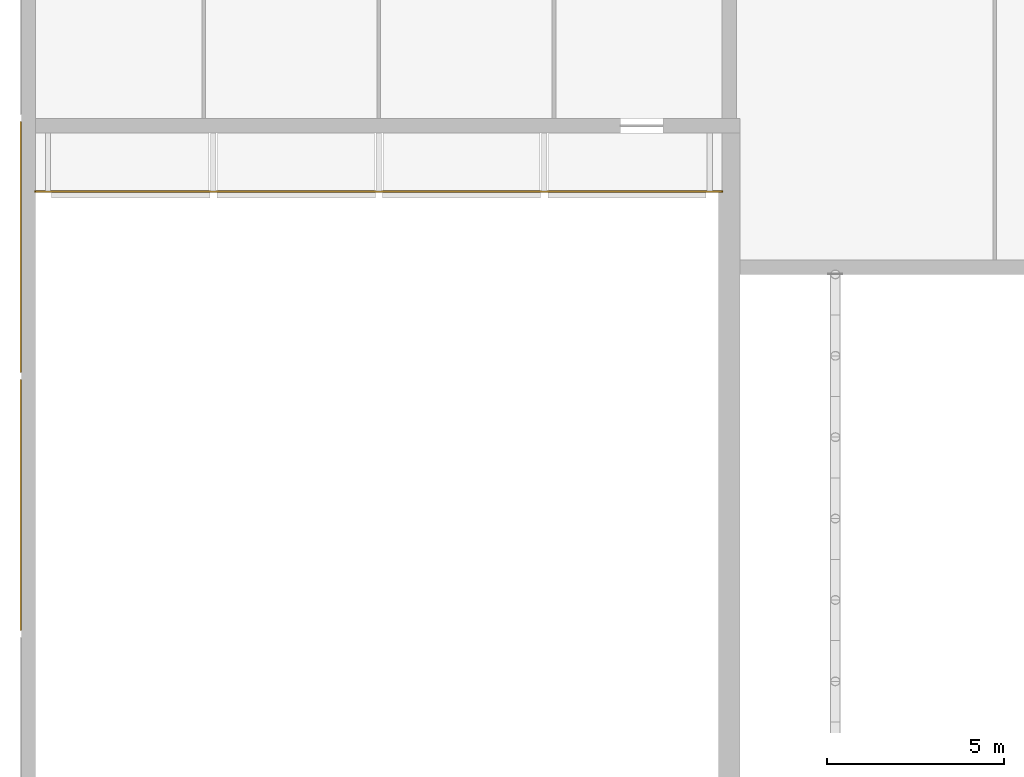
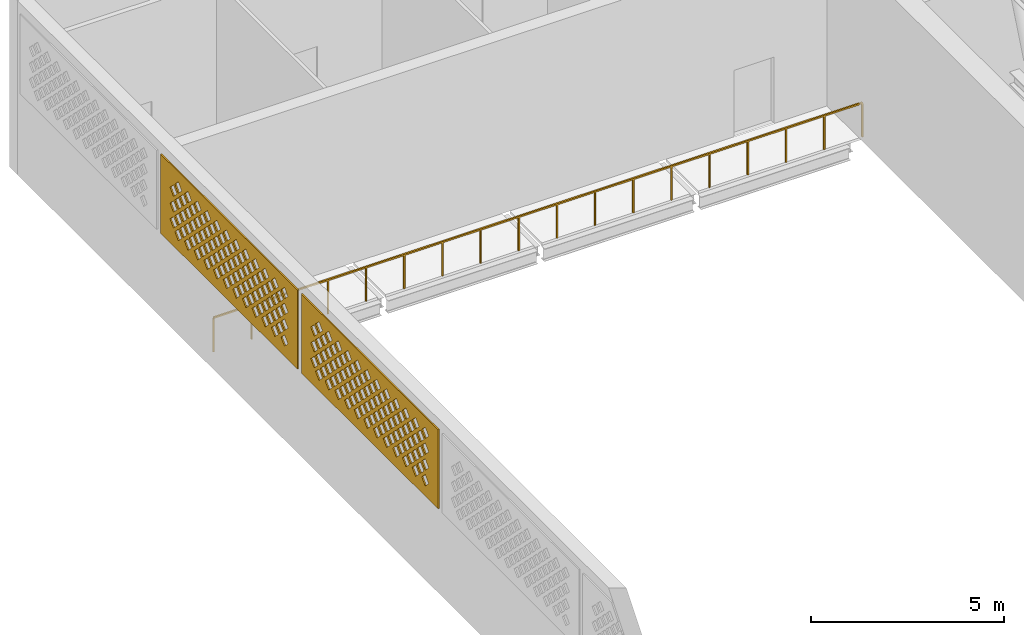
# One storey, part 31 of 69: 2 coverings, 1 railing.
"""IFC4 building model written with IfcOpenShell, lengths in metres."""

from ifc_helpers import new_model, si_unit, direction, frame, origin, origin_2d, place, context, subcontext, project, spatial, polyline, rectangle, outline, extrude, material, layer, layer_set, type_object, element, save


model = new_model("IFC4")

# Units and contexts
model_context = context("Model", 3, precision=1e-05, world=origin(), true_north=direction((0.0, 1.0)))
body_context = subcontext(model_context, "Body", "Model", "MODEL_VIEW")
ifc_project = project(units=[si_unit("LENGTHUNIT", "METRE"), si_unit("AREAUNIT", "SQUARE_METRE"), si_unit("VOLUMEUNIT", "CUBIC_METRE"), si_unit("PLANEANGLEUNIT", "RADIAN"), si_unit("MASSUNIT", "GRAM", prefix="KILO")], contexts=[model_context])

# Site, building, storey
site_placement = place(None, origin())
site = spatial("IfcSite", under=ifc_project, at=site_placement, CompositionType="ELEMENT")
building_placement = place(site_placement, origin())
building = spatial("IfcBuilding", under=site, at=building_placement, Name="Noorbagh Ring Tower", CompositionType="ELEMENT")
storey_placement = place(building_placement, frame((0.0, 0.0, 19.5)))
storey = spatial("IfcBuildingStorey", under=building, at=storey_placement, Name="L03", CompositionType="ELEMENT", Elevation=19.5)

# Coverings
ifc_material_1 = material(Name="Red sandstone jali", Category="masonry")
ifc_layer = layer(ifc_material_1, 0.0400390625)
ifc_layer_set = layer_set([ifc_layer], Name="Red sandstone jali")
covering_type = type_object("IfcCoveringType", Name="STH-BAND", PredefinedType="USERDEFINED", material=ifc_layer_set)
covering_1_placement = place(storey_placement, frame((-160.0400390625, 23.1142578125, 2.699951171875), z_axis=(-1.0, 0.0, 0.0), x_axis=(0.0, -1.0, 0.0)))
element("IfcCovering", 1, at=covering_1_placement, inside=storey, type_object=covering_type, Name="Jali band", ObjectType="JALI SCREEN", PredefinedType="USERDEFINED", context=body_context, shape_type="SweptSolid", body=[
    extrude(outline(polyline([(0.0, 0.0), (7.085693359375, 0.0), (7.085693359375, 2.5), (0.0, 2.5), (0.0, 0.0)]), holes=[polyline([(0.73779296875, 0.5), (0.91796875, 0.320068359375), (1.097900390625, 0.5), (0.91796875, 0.679931640625), (0.73779296875, 0.5)]), polyline([(1.23779296875, 0.5), (1.41796875, 0.320068359375), (1.597900390625, 0.5), (1.41796875, 0.679931640625), (1.23779296875, 0.5)]), polyline([(1.73779296875, 0.5), (1.91796875, 0.320068359375), (2.097900390625, 0.5), (1.91796875, 0.679931640625), (1.73779296875, 0.5)]), polyline([(2.23779296875, 0.5), (2.41796875, 0.320068359375), (2.597900390625, 0.5), (2.41796875, 0.679931640625), (2.23779296875, 0.5)]), polyline([(2.73779296875, 0.5), (2.91796875, 0.320068359375), (3.097900390625, 0.5), (2.91796875, 0.679931640625), (2.73779296875, 0.5)]), polyline([(3.23779296875, 0.5), (3.41796875, 0.320068359375), (3.597900390625, 0.5), (3.41796875, 0.679931640625), (3.23779296875, 0.5)]), polyline([(3.73779296875, 0.5), (3.91796875, 0.320068359375), (4.097900390625, 0.5), (3.91796875, 0.679931640625), (3.73779296875, 0.5)]), polyline([(4.23779296875, 0.5), (4.41796875, 0.320068359375), (4.597900390625, 0.5), (4.41796875, 0.679931640625), (4.23779296875, 0.5)]), polyline([(4.73779296875, 0.5), (4.91796875, 0.320068359375), (5.097900390625, 0.5), (4.91796875, 0.679931640625), (4.73779296875, 0.5)]), polyline([(5.23779296875, 0.5), (5.41796875, 0.320068359375), (5.597900390625, 0.5), (5.41796875, 0.679931640625), (5.23779296875, 0.5)]), polyline([(5.73779296875, 0.5), (5.91796875, 0.320068359375), (6.097900390625, 0.5), (5.91796875, 0.679931640625), (5.73779296875, 0.5)]), polyline([(6.23779296875, 0.5), (6.41796875, 0.320068359375), (6.597900390625, 0.5), (6.41796875, 0.679931640625), (6.23779296875, 0.5)]), polyline([(0.48779296875, 0.75), (0.66796875, 0.570068359375), (0.847900390625, 0.75), (0.66796875, 0.929931640625), (0.48779296875, 0.75)]), polyline([(0.98779296875, 0.75), (1.16796875, 0.570068359375), (1.347900390625, 0.75), (1.16796875, 0.929931640625), (0.98779296875, 0.75)]), polyline([(1.48779296875, 0.75), (1.66796875, 0.570068359375), (1.847900390625, 0.75), (1.66796875, 0.929931640625), (1.48779296875, 0.75)]), polyline([(1.98779296875, 0.75), (2.16796875, 0.570068359375), (2.347900390625, 0.75), (2.16796875, 0.929931640625), (1.98779296875, 0.75)]), polyline([(2.48779296875, 0.75), (2.66796875, 0.570068359375), (2.847900390625, 0.75), (2.66796875, 0.929931640625), (2.48779296875, 0.75)]), polyline([(2.98779296875, 0.75), (3.16796875, 0.570068359375), (3.347900390625, 0.75), (3.16796875, 0.929931640625), (2.98779296875, 0.75)]), polyline([(3.48779296875, 0.75), (3.66796875, 0.570068359375), (3.847900390625, 0.75), (3.66796875, 0.929931640625), (3.48779296875, 0.75)]), polyline([(3.98779296875, 0.75), (4.16796875, 0.570068359375), (4.347900390625, 0.75), (4.16796875, 0.929931640625), (3.98779296875, 0.75)]), polyline([(4.48779296875, 0.75), (4.66796875, 0.570068359375), (4.847900390625, 0.75), (4.66796875, 0.929931640625), (4.48779296875, 0.75)]), polyline([(4.98779296875, 0.75), (5.16796875, 0.570068359375), (5.347900390625, 0.75), (5.16796875, 0.929931640625), (4.98779296875, 0.75)]), polyline([(5.48779296875, 0.75), (5.66796875, 0.570068359375), (5.847900390625, 0.75), (5.66796875, 0.929931640625), (5.48779296875, 0.75)]), polyline([(5.98779296875, 0.75), (6.16796875, 0.570068359375), (6.347900390625, 0.75), (6.16796875, 0.929931640625), (5.98779296875, 0.75)]), polyline([(0.73779296875, 1.0), (0.91796875, 0.820068359375), (1.097900390625, 1.0), (0.91796875, 1.179931640625), (0.73779296875, 1.0)]), polyline([(1.23779296875, 1.0), (1.41796875, 0.820068359375), (1.597900390625, 1.0), (1.41796875, 1.179931640625), (1.23779296875, 1.0)]), polyline([(1.73779296875, 1.0), (1.91796875, 0.820068359375), (2.097900390625, 1.0), (1.91796875, 1.179931640625), (1.73779296875, 1.0)]), polyline([(2.23779296875, 1.0), (2.41796875, 0.820068359375), (2.597900390625, 1.0), (2.41796875, 1.179931640625), (2.23779296875, 1.0)]), polyline([(2.73779296875, 1.0), (2.91796875, 0.820068359375), (3.097900390625, 1.0), (2.91796875, 1.179931640625), (2.73779296875, 1.0)]), polyline([(3.23779296875, 1.0), (3.41796875, 0.820068359375), (3.597900390625, 1.0), (3.41796875, 1.179931640625), (3.23779296875, 1.0)]), polyline([(3.73779296875, 1.0), (3.91796875, 0.820068359375), (4.097900390625, 1.0), (3.91796875, 1.179931640625), (3.73779296875, 1.0)]), polyline([(4.23779296875, 1.0), (4.41796875, 0.820068359375), (4.597900390625, 1.0), (4.41796875, 1.179931640625), (4.23779296875, 1.0)]), polyline([(4.73779296875, 1.0), (4.91796875, 0.820068359375), (5.097900390625, 1.0), (4.91796875, 1.179931640625), (4.73779296875, 1.0)]), polyline([(5.23779296875, 1.0), (5.41796875, 0.820068359375), (5.597900390625, 1.0), (5.41796875, 1.179931640625), (5.23779296875, 1.0)]), polyline([(5.73779296875, 1.0), (5.91796875, 0.820068359375), (6.097900390625, 1.0), (5.91796875, 1.179931640625), (5.73779296875, 1.0)]), polyline([(6.23779296875, 1.0), (6.41796875, 0.820068359375), (6.597900390625, 1.0), (6.41796875, 1.179931640625), (6.23779296875, 1.0)]), polyline([(0.48779296875, 1.25), (0.66796875, 1.070068359375), (0.847900390625, 1.25), (0.66796875, 1.429931640625), (0.48779296875, 1.25)]), polyline([(0.98779296875, 1.25), (1.16796875, 1.070068359375), (1.347900390625, 1.25), (1.16796875, 1.429931640625), (0.98779296875, 1.25)]), polyline([(1.48779296875, 1.25), (1.66796875, 1.070068359375), (1.847900390625, 1.25), (1.66796875, 1.429931640625), (1.48779296875, 1.25)]), polyline([(1.98779296875, 1.25), (2.16796875, 1.070068359375), (2.347900390625, 1.25), (2.16796875, 1.429931640625), (1.98779296875, 1.25)]), polyline([(2.48779296875, 1.25), (2.66796875, 1.070068359375), (2.847900390625, 1.25), (2.66796875, 1.429931640625), (2.48779296875, 1.25)]), polyline([(2.98779296875, 1.25), (3.16796875, 1.070068359375), (3.347900390625, 1.25), (3.16796875, 1.429931640625), (2.98779296875, 1.25)]), polyline([(3.48779296875, 1.25), (3.66796875, 1.070068359375), (3.847900390625, 1.25), (3.66796875, 1.429931640625), (3.48779296875, 1.25)]), polyline([(3.98779296875, 1.25), (4.16796875, 1.070068359375), (4.347900390625, 1.25), (4.16796875, 1.429931640625), (3.98779296875, 1.25)]), polyline([(4.48779296875, 1.25), (4.66796875, 1.070068359375), (4.847900390625, 1.25), (4.66796875, 1.429931640625), (4.48779296875, 1.25)]), polyline([(4.98779296875, 1.25), (5.16796875, 1.070068359375), (5.347900390625, 1.25), (5.16796875, 1.429931640625), (4.98779296875, 1.25)]), polyline([(5.48779296875, 1.25), (5.66796875, 1.070068359375), (5.847900390625, 1.25), (5.66796875, 1.429931640625), (5.48779296875, 1.25)]), polyline([(5.98779296875, 1.25), (6.16796875, 1.070068359375), (6.347900390625, 1.25), (6.16796875, 1.429931640625), (5.98779296875, 1.25)]), polyline([(0.73779296875, 1.5), (0.91796875, 1.320068359375), (1.097900390625, 1.5), (0.91796875, 1.679931640625), (0.73779296875, 1.5)]), polyline([(1.23779296875, 1.5), (1.41796875, 1.320068359375), (1.597900390625, 1.5), (1.41796875, 1.679931640625), (1.23779296875, 1.5)]), polyline([(1.73779296875, 1.5), (1.91796875, 1.320068359375), (2.097900390625, 1.5), (1.91796875, 1.679931640625), (1.73779296875, 1.5)]), polyline([(2.23779296875, 1.5), (2.41796875, 1.320068359375), (2.597900390625, 1.5), (2.41796875, 1.679931640625), (2.23779296875, 1.5)]), polyline([(2.73779296875, 1.5), (2.91796875, 1.320068359375), (3.097900390625, 1.5), (2.91796875, 1.679931640625), (2.73779296875, 1.5)]), polyline([(3.23779296875, 1.5), (3.41796875, 1.320068359375), (3.597900390625, 1.5), (3.41796875, 1.679931640625), (3.23779296875, 1.5)]), polyline([(3.73779296875, 1.5), (3.91796875, 1.320068359375), (4.097900390625, 1.5), (3.91796875, 1.679931640625), (3.73779296875, 1.5)]), polyline([(4.23779296875, 1.5), (4.41796875, 1.320068359375), (4.597900390625, 1.5), (4.41796875, 1.679931640625), (4.23779296875, 1.5)]), polyline([(4.73779296875, 1.5), (4.91796875, 1.320068359375), (5.097900390625, 1.5), (4.91796875, 1.679931640625), (4.73779296875, 1.5)]), polyline([(5.23779296875, 1.5), (5.41796875, 1.320068359375), (5.597900390625, 1.5), (5.41796875, 1.679931640625), (5.23779296875, 1.5)]), polyline([(5.73779296875, 1.5), (5.91796875, 1.320068359375), (6.097900390625, 1.5), (5.91796875, 1.679931640625), (5.73779296875, 1.5)]), polyline([(6.23779296875, 1.5), (6.41796875, 1.320068359375), (6.597900390625, 1.5), (6.41796875, 1.679931640625), (6.23779296875, 1.5)]), polyline([(0.48779296875, 1.75), (0.66796875, 1.570068359375), (0.847900390625, 1.75), (0.66796875, 1.929931640625), (0.48779296875, 1.75)]), polyline([(0.98779296875, 1.75), (1.16796875, 1.570068359375), (1.347900390625, 1.75), (1.16796875, 1.929931640625), (0.98779296875, 1.75)]), polyline([(1.48779296875, 1.75), (1.66796875, 1.570068359375), (1.847900390625, 1.75), (1.66796875, 1.929931640625), (1.48779296875, 1.75)]), polyline([(1.98779296875, 1.75), (2.16796875, 1.570068359375), (2.347900390625, 1.75), (2.16796875, 1.929931640625), (1.98779296875, 1.75)]), polyline([(2.48779296875, 1.75), (2.66796875, 1.570068359375), (2.847900390625, 1.75), (2.66796875, 1.929931640625), (2.48779296875, 1.75)]), polyline([(2.98779296875, 1.75), (3.16796875, 1.570068359375), (3.347900390625, 1.75), (3.16796875, 1.929931640625), (2.98779296875, 1.75)]), polyline([(3.48779296875, 1.75), (3.66796875, 1.570068359375), (3.847900390625, 1.75), (3.66796875, 1.929931640625), (3.48779296875, 1.75)]), polyline([(3.98779296875, 1.75), (4.16796875, 1.570068359375), (4.347900390625, 1.75), (4.16796875, 1.929931640625), (3.98779296875, 1.75)]), polyline([(4.48779296875, 1.75), (4.66796875, 1.570068359375), (4.847900390625, 1.75), (4.66796875, 1.929931640625), (4.48779296875, 1.75)]), polyline([(4.98779296875, 1.75), (5.16796875, 1.570068359375), (5.347900390625, 1.75), (5.16796875, 1.929931640625), (4.98779296875, 1.75)]), polyline([(5.48779296875, 1.75), (5.66796875, 1.570068359375), (5.847900390625, 1.75), (5.66796875, 1.929931640625), (5.48779296875, 1.75)]), polyline([(5.98779296875, 1.75), (6.16796875, 1.570068359375), (6.347900390625, 1.75), (6.16796875, 1.929931640625), (5.98779296875, 1.75)]), polyline([(0.73779296875, 2.0), (0.91796875, 1.820068359375), (1.097900390625, 2.0), (0.91796875, 2.179931640625), (0.73779296875, 2.0)]), polyline([(1.23779296875, 2.0), (1.41796875, 1.820068359375), (1.597900390625, 2.0), (1.41796875, 2.179931640625), (1.23779296875, 2.0)]), polyline([(1.73779296875, 2.0), (1.91796875, 1.820068359375), (2.097900390625, 2.0), (1.91796875, 2.179931640625), (1.73779296875, 2.0)]), polyline([(2.23779296875, 2.0), (2.41796875, 1.820068359375), (2.597900390625, 2.0), (2.41796875, 2.179931640625), (2.23779296875, 2.0)]), polyline([(2.73779296875, 2.0), (2.91796875, 1.820068359375), (3.097900390625, 2.0), (2.91796875, 2.179931640625), (2.73779296875, 2.0)]), polyline([(3.23779296875, 2.0), (3.41796875, 1.820068359375), (3.597900390625, 2.0), (3.41796875, 2.179931640625), (3.23779296875, 2.0)]), polyline([(3.73779296875, 2.0), (3.91796875, 1.820068359375), (4.097900390625, 2.0), (3.91796875, 2.179931640625), (3.73779296875, 2.0)]), polyline([(4.23779296875, 2.0), (4.41796875, 1.820068359375), (4.597900390625, 2.0), (4.41796875, 2.179931640625), (4.23779296875, 2.0)]), polyline([(4.73779296875, 2.0), (4.91796875, 1.820068359375), (5.097900390625, 2.0), (4.91796875, 2.179931640625), (4.73779296875, 2.0)]), polyline([(5.23779296875, 2.0), (5.41796875, 1.820068359375), (5.597900390625, 2.0), (5.41796875, 2.179931640625), (5.23779296875, 2.0)]), polyline([(5.73779296875, 2.0), (5.91796875, 1.820068359375), (6.097900390625, 2.0), (5.91796875, 2.179931640625), (5.73779296875, 2.0)]), polyline([(6.23779296875, 2.0), (6.41796875, 1.820068359375), (6.597900390625, 2.0), (6.41796875, 2.179931640625), (6.23779296875, 2.0)])]), origin(), (0.0, 0.0, -1.0), 0.0400390625),
])
covering_2_placement = place(storey_placement, frame((-160.0400390625, 15.82861328125, 2.699951171875), z_axis=(-1.0, 0.0, 0.0), x_axis=(0.0, -1.0, 0.0)))
element("IfcCovering", 2, at=covering_2_placement, inside=storey, type_object=covering_type, Name="Jali band", ObjectType="JALI SCREEN", PredefinedType="USERDEFINED", context=body_context, shape_type="SweptSolid", body=[
    extrude(outline(polyline([(0.0, 0.0), (7.085693359375, 0.0), (7.085693359375, 2.5), (0.0, 2.5), (0.0, 0.0)]), holes=[polyline([(0.73779296875, 0.5), (0.91796875, 0.320068359375), (1.097900390625, 0.5), (0.91796875, 0.679931640625), (0.73779296875, 0.5)]), polyline([(1.23779296875, 0.5), (1.41796875, 0.320068359375), (1.597900390625, 0.5), (1.41796875, 0.679931640625), (1.23779296875, 0.5)]), polyline([(1.73779296875, 0.5), (1.91796875, 0.320068359375), (2.097900390625, 0.5), (1.91796875, 0.679931640625), (1.73779296875, 0.5)]), polyline([(2.23779296875, 0.5), (2.41796875, 0.320068359375), (2.597900390625, 0.5), (2.41796875, 0.679931640625), (2.23779296875, 0.5)]), polyline([(2.73779296875, 0.5), (2.91796875, 0.320068359375), (3.097900390625, 0.5), (2.91796875, 0.679931640625), (2.73779296875, 0.5)]), polyline([(3.23779296875, 0.5), (3.41796875, 0.320068359375), (3.597900390625, 0.5), (3.41796875, 0.679931640625), (3.23779296875, 0.5)]), polyline([(3.73779296875, 0.5), (3.91796875, 0.320068359375), (4.097900390625, 0.5), (3.91796875, 0.679931640625), (3.73779296875, 0.5)]), polyline([(4.23779296875, 0.5), (4.41796875, 0.320068359375), (4.597900390625, 0.5), (4.41796875, 0.679931640625), (4.23779296875, 0.5)]), polyline([(4.73779296875, 0.5), (4.91796875, 0.320068359375), (5.097900390625, 0.5), (4.91796875, 0.679931640625), (4.73779296875, 0.5)]), polyline([(5.23779296875, 0.5), (5.41796875, 0.320068359375), (5.597900390625, 0.5), (5.41796875, 0.679931640625), (5.23779296875, 0.5)]), polyline([(5.73779296875, 0.5), (5.91796875, 0.320068359375), (6.097900390625, 0.5), (5.91796875, 0.679931640625), (5.73779296875, 0.5)]), polyline([(6.23779296875, 0.5), (6.41796875, 0.320068359375), (6.597900390625, 0.5), (6.41796875, 0.679931640625), (6.23779296875, 0.5)]), polyline([(0.48779296875, 0.75), (0.66796875, 0.570068359375), (0.847900390625, 0.75), (0.66796875, 0.929931640625), (0.48779296875, 0.75)]), polyline([(0.98779296875, 0.75), (1.16796875, 0.570068359375), (1.347900390625, 0.75), (1.16796875, 0.929931640625), (0.98779296875, 0.75)]), polyline([(1.48779296875, 0.75), (1.66796875, 0.570068359375), (1.847900390625, 0.75), (1.66796875, 0.929931640625), (1.48779296875, 0.75)]), polyline([(1.98779296875, 0.75), (2.16796875, 0.570068359375), (2.347900390625, 0.75), (2.16796875, 0.929931640625), (1.98779296875, 0.75)]), polyline([(2.48779296875, 0.75), (2.66796875, 0.570068359375), (2.847900390625, 0.75), (2.66796875, 0.929931640625), (2.48779296875, 0.75)]), polyline([(2.98779296875, 0.75), (3.16796875, 0.570068359375), (3.347900390625, 0.75), (3.16796875, 0.929931640625), (2.98779296875, 0.75)]), polyline([(3.48779296875, 0.75), (3.66796875, 0.570068359375), (3.847900390625, 0.75), (3.66796875, 0.929931640625), (3.48779296875, 0.75)]), polyline([(3.98779296875, 0.75), (4.16796875, 0.570068359375), (4.347900390625, 0.75), (4.16796875, 0.929931640625), (3.98779296875, 0.75)]), polyline([(4.48779296875, 0.75), (4.66796875, 0.570068359375), (4.847900390625, 0.75), (4.66796875, 0.929931640625), (4.48779296875, 0.75)]), polyline([(4.98779296875, 0.75), (5.16796875, 0.570068359375), (5.347900390625, 0.75), (5.16796875, 0.929931640625), (4.98779296875, 0.75)]), polyline([(5.48779296875, 0.75), (5.66796875, 0.570068359375), (5.847900390625, 0.75), (5.66796875, 0.929931640625), (5.48779296875, 0.75)]), polyline([(5.98779296875, 0.75), (6.16796875, 0.570068359375), (6.347900390625, 0.75), (6.16796875, 0.929931640625), (5.98779296875, 0.75)]), polyline([(0.73779296875, 1.0), (0.91796875, 0.820068359375), (1.097900390625, 1.0), (0.91796875, 1.179931640625), (0.73779296875, 1.0)]), polyline([(1.23779296875, 1.0), (1.41796875, 0.820068359375), (1.597900390625, 1.0), (1.41796875, 1.179931640625), (1.23779296875, 1.0)]), polyline([(1.73779296875, 1.0), (1.91796875, 0.820068359375), (2.097900390625, 1.0), (1.91796875, 1.179931640625), (1.73779296875, 1.0)]), polyline([(2.23779296875, 1.0), (2.41796875, 0.820068359375), (2.597900390625, 1.0), (2.41796875, 1.179931640625), (2.23779296875, 1.0)]), polyline([(2.73779296875, 1.0), (2.91796875, 0.820068359375), (3.097900390625, 1.0), (2.91796875, 1.179931640625), (2.73779296875, 1.0)]), polyline([(3.23779296875, 1.0), (3.41796875, 0.820068359375), (3.597900390625, 1.0), (3.41796875, 1.179931640625), (3.23779296875, 1.0)]), polyline([(3.73779296875, 1.0), (3.91796875, 0.820068359375), (4.097900390625, 1.0), (3.91796875, 1.179931640625), (3.73779296875, 1.0)]), polyline([(4.23779296875, 1.0), (4.41796875, 0.820068359375), (4.597900390625, 1.0), (4.41796875, 1.179931640625), (4.23779296875, 1.0)]), polyline([(4.73779296875, 1.0), (4.91796875, 0.820068359375), (5.097900390625, 1.0), (4.91796875, 1.179931640625), (4.73779296875, 1.0)]), polyline([(5.23779296875, 1.0), (5.41796875, 0.820068359375), (5.597900390625, 1.0), (5.41796875, 1.179931640625), (5.23779296875, 1.0)]), polyline([(5.73779296875, 1.0), (5.91796875, 0.820068359375), (6.097900390625, 1.0), (5.91796875, 1.179931640625), (5.73779296875, 1.0)]), polyline([(6.23779296875, 1.0), (6.41796875, 0.820068359375), (6.597900390625, 1.0), (6.41796875, 1.179931640625), (6.23779296875, 1.0)]), polyline([(0.48779296875, 1.25), (0.66796875, 1.070068359375), (0.847900390625, 1.25), (0.66796875, 1.429931640625), (0.48779296875, 1.25)]), polyline([(0.98779296875, 1.25), (1.16796875, 1.070068359375), (1.347900390625, 1.25), (1.16796875, 1.429931640625), (0.98779296875, 1.25)]), polyline([(1.48779296875, 1.25), (1.66796875, 1.070068359375), (1.847900390625, 1.25), (1.66796875, 1.429931640625), (1.48779296875, 1.25)]), polyline([(1.98779296875, 1.25), (2.16796875, 1.070068359375), (2.347900390625, 1.25), (2.16796875, 1.429931640625), (1.98779296875, 1.25)]), polyline([(2.48779296875, 1.25), (2.66796875, 1.070068359375), (2.847900390625, 1.25), (2.66796875, 1.429931640625), (2.48779296875, 1.25)]), polyline([(2.98779296875, 1.25), (3.16796875, 1.070068359375), (3.347900390625, 1.25), (3.16796875, 1.429931640625), (2.98779296875, 1.25)]), polyline([(3.48779296875, 1.25), (3.66796875, 1.070068359375), (3.847900390625, 1.25), (3.66796875, 1.429931640625), (3.48779296875, 1.25)]), polyline([(3.98779296875, 1.25), (4.16796875, 1.070068359375), (4.347900390625, 1.25), (4.16796875, 1.429931640625), (3.98779296875, 1.25)]), polyline([(4.48779296875, 1.25), (4.66796875, 1.070068359375), (4.847900390625, 1.25), (4.66796875, 1.429931640625), (4.48779296875, 1.25)]), polyline([(4.98779296875, 1.25), (5.16796875, 1.070068359375), (5.347900390625, 1.25), (5.16796875, 1.429931640625), (4.98779296875, 1.25)]), polyline([(5.48779296875, 1.25), (5.66796875, 1.070068359375), (5.847900390625, 1.25), (5.66796875, 1.429931640625), (5.48779296875, 1.25)]), polyline([(5.98779296875, 1.25), (6.16796875, 1.070068359375), (6.347900390625, 1.25), (6.16796875, 1.429931640625), (5.98779296875, 1.25)]), polyline([(0.73779296875, 1.5), (0.91796875, 1.320068359375), (1.097900390625, 1.5), (0.91796875, 1.679931640625), (0.73779296875, 1.5)]), polyline([(1.23779296875, 1.5), (1.41796875, 1.320068359375), (1.597900390625, 1.5), (1.41796875, 1.679931640625), (1.23779296875, 1.5)]), polyline([(1.73779296875, 1.5), (1.91796875, 1.320068359375), (2.097900390625, 1.5), (1.91796875, 1.679931640625), (1.73779296875, 1.5)]), polyline([(2.23779296875, 1.5), (2.41796875, 1.320068359375), (2.597900390625, 1.5), (2.41796875, 1.679931640625), (2.23779296875, 1.5)]), polyline([(2.73779296875, 1.5), (2.91796875, 1.320068359375), (3.097900390625, 1.5), (2.91796875, 1.679931640625), (2.73779296875, 1.5)]), polyline([(3.23779296875, 1.5), (3.41796875, 1.320068359375), (3.597900390625, 1.5), (3.41796875, 1.679931640625), (3.23779296875, 1.5)]), polyline([(3.73779296875, 1.5), (3.91796875, 1.320068359375), (4.097900390625, 1.5), (3.91796875, 1.679931640625), (3.73779296875, 1.5)]), polyline([(4.23779296875, 1.5), (4.41796875, 1.320068359375), (4.597900390625, 1.5), (4.41796875, 1.679931640625), (4.23779296875, 1.5)]), polyline([(4.73779296875, 1.5), (4.91796875, 1.320068359375), (5.097900390625, 1.5), (4.91796875, 1.679931640625), (4.73779296875, 1.5)]), polyline([(5.23779296875, 1.5), (5.41796875, 1.320068359375), (5.597900390625, 1.5), (5.41796875, 1.679931640625), (5.23779296875, 1.5)]), polyline([(5.73779296875, 1.5), (5.91796875, 1.320068359375), (6.097900390625, 1.5), (5.91796875, 1.679931640625), (5.73779296875, 1.5)]), polyline([(6.23779296875, 1.5), (6.41796875, 1.320068359375), (6.597900390625, 1.5), (6.41796875, 1.679931640625), (6.23779296875, 1.5)]), polyline([(0.48779296875, 1.75), (0.66796875, 1.570068359375), (0.847900390625, 1.75), (0.66796875, 1.929931640625), (0.48779296875, 1.75)]), polyline([(0.98779296875, 1.75), (1.16796875, 1.570068359375), (1.347900390625, 1.75), (1.16796875, 1.929931640625), (0.98779296875, 1.75)]), polyline([(1.48779296875, 1.75), (1.66796875, 1.570068359375), (1.847900390625, 1.75), (1.66796875, 1.929931640625), (1.48779296875, 1.75)]), polyline([(1.98779296875, 1.75), (2.16796875, 1.570068359375), (2.347900390625, 1.75), (2.16796875, 1.929931640625), (1.98779296875, 1.75)]), polyline([(2.48779296875, 1.75), (2.66796875, 1.570068359375), (2.847900390625, 1.75), (2.66796875, 1.929931640625), (2.48779296875, 1.75)]), polyline([(2.98779296875, 1.75), (3.16796875, 1.570068359375), (3.347900390625, 1.75), (3.16796875, 1.929931640625), (2.98779296875, 1.75)]), polyline([(3.48779296875, 1.75), (3.66796875, 1.570068359375), (3.847900390625, 1.75), (3.66796875, 1.929931640625), (3.48779296875, 1.75)]), polyline([(3.98779296875, 1.75), (4.16796875, 1.570068359375), (4.347900390625, 1.75), (4.16796875, 1.929931640625), (3.98779296875, 1.75)]), polyline([(4.48779296875, 1.75), (4.66796875, 1.570068359375), (4.847900390625, 1.75), (4.66796875, 1.929931640625), (4.48779296875, 1.75)]), polyline([(4.98779296875, 1.75), (5.16796875, 1.570068359375), (5.347900390625, 1.75), (5.16796875, 1.929931640625), (4.98779296875, 1.75)]), polyline([(5.48779296875, 1.75), (5.66796875, 1.570068359375), (5.847900390625, 1.75), (5.66796875, 1.929931640625), (5.48779296875, 1.75)]), polyline([(5.98779296875, 1.75), (6.16796875, 1.570068359375), (6.347900390625, 1.75), (6.16796875, 1.929931640625), (5.98779296875, 1.75)]), polyline([(0.73779296875, 2.0), (0.91796875, 1.820068359375), (1.097900390625, 2.0), (0.91796875, 2.179931640625), (0.73779296875, 2.0)]), polyline([(1.23779296875, 2.0), (1.41796875, 1.820068359375), (1.597900390625, 2.0), (1.41796875, 2.179931640625), (1.23779296875, 2.0)]), polyline([(1.73779296875, 2.0), (1.91796875, 1.820068359375), (2.097900390625, 2.0), (1.91796875, 2.179931640625), (1.73779296875, 2.0)]), polyline([(2.23779296875, 2.0), (2.41796875, 1.820068359375), (2.597900390625, 2.0), (2.41796875, 2.179931640625), (2.23779296875, 2.0)]), polyline([(2.73779296875, 2.0), (2.91796875, 1.820068359375), (3.097900390625, 2.0), (2.91796875, 2.179931640625), (2.73779296875, 2.0)]), polyline([(3.23779296875, 2.0), (3.41796875, 1.820068359375), (3.597900390625, 2.0), (3.41796875, 2.179931640625), (3.23779296875, 2.0)]), polyline([(3.73779296875, 2.0), (3.91796875, 1.820068359375), (4.097900390625, 2.0), (3.91796875, 2.179931640625), (3.73779296875, 2.0)]), polyline([(4.23779296875, 2.0), (4.41796875, 1.820068359375), (4.597900390625, 2.0), (4.41796875, 2.179931640625), (4.23779296875, 2.0)]), polyline([(4.73779296875, 2.0), (4.91796875, 1.820068359375), (5.097900390625, 2.0), (4.91796875, 2.179931640625), (4.73779296875, 2.0)]), polyline([(5.23779296875, 2.0), (5.41796875, 1.820068359375), (5.597900390625, 2.0), (5.41796875, 2.179931640625), (5.23779296875, 2.0)]), polyline([(5.73779296875, 2.0), (5.91796875, 1.820068359375), (6.097900390625, 2.0), (5.91796875, 2.179931640625), (5.73779296875, 2.0)]), polyline([(6.23779296875, 2.0), (6.41796875, 1.820068359375), (6.597900390625, 2.0), (6.41796875, 2.179931640625), (6.23779296875, 2.0)])]), origin(), (0.0, 0.0, -1.0), 0.0400390625),
])

# Railing
ifc_material_2 = material(Name="Stainless steel", Category="steel")
railing_type = type_object("IfcRailingType", Name="TH-GUARD", PredefinedType="GUARDRAIL", material=ifc_material_2)
railing_placement = place(storey_placement, frame((-159.60009765625, 21.139892578125, 0.0)))
element("IfcRailing", 3, at=railing_placement, inside=storey, type_object=railing_type, Name="Fly gallery guard N", PredefinedType="GUARDRAIL", context=body_context, shape_type="SweptSolid", body=[
    extrude(rectangle(XDim=0.048095703125, YDim=0.048095703125, at=origin_2d()), frame((0.0, 0.0, 1.076171875), z_axis=(1.0, 0.0, 0.0), x_axis=(0.0, 1.0, 0.0)), (0.0, 0.0, 1.0), 19.400146484375),
    extrude(rectangle(XDim=0.0419921875, YDim=0.0419921875, at=origin_2d()), origin(), (0.0, 0.0, 1.0), 1.052001953125),
    extrude(rectangle(XDim=0.0419921875, YDim=0.0419921875, at=origin_2d()), frame((1.14111328125, 0.0, 0.0)), (0.0, 0.0, 1.0), 1.052001953125),
    extrude(rectangle(XDim=0.0419921875, YDim=0.0419921875, at=origin_2d()), frame((2.282470703125, 0.0, 0.0)), (0.0, 0.0, 1.0), 1.052001953125),
    extrude(rectangle(XDim=0.0419921875, YDim=0.0419921875, at=origin_2d()), frame((3.423583984375, 0.0, 0.0)), (0.0, 0.0, 1.0), 1.052001953125),
    extrude(rectangle(XDim=0.0419921875, YDim=0.0419921875, at=origin_2d()), frame((4.564697265625, 0.0, 0.0)), (0.0, 0.0, 1.0), 1.052001953125),
    extrude(rectangle(XDim=0.0419921875, YDim=0.0419921875, at=origin_2d()), frame((5.705810546875, 0.0, 0.0)), (0.0, 0.0, 1.0), 1.052001953125),
    extrude(rectangle(XDim=0.0419921875, YDim=0.0419921875, at=origin_2d()), frame((6.84716796875, 0.0, 0.0)), (0.0, 0.0, 1.0), 1.052001953125),
    extrude(rectangle(XDim=0.0419921875, YDim=0.0419921875, at=origin_2d()), frame((7.98828125, 0.0, 0.0)), (0.0, 0.0, 1.0), 1.052001953125),
    extrude(rectangle(XDim=0.0419921875, YDim=0.0419921875, at=origin_2d()), frame((9.12939453125, 0.0, 0.0)), (0.0, 0.0, 1.0), 1.052001953125),
    extrude(rectangle(XDim=0.0419921875, YDim=0.0419921875, at=origin_2d()), frame((10.270751953125, 0.0, 0.0)), (0.0, 0.0, 1.0), 1.052001953125),
    extrude(rectangle(XDim=0.0419921875, YDim=0.0419921875, at=origin_2d()), frame((11.411865234375, 0.0, 0.0)), (0.0, 0.0, 1.0), 1.052001953125),
    extrude(rectangle(XDim=0.0419921875, YDim=0.0419921875, at=origin_2d()), frame((12.552978515625, 0.0, 0.0)), (0.0, 0.0, 1.0), 1.052001953125),
    extrude(rectangle(XDim=0.0419921875, YDim=0.0419921875, at=origin_2d()), frame((13.6943359375, 0.0, 0.0)), (0.0, 0.0, 1.0), 1.052001953125),
    extrude(rectangle(XDim=0.0419921875, YDim=0.0419921875, at=origin_2d()), frame((14.83544921875, 0.0, 0.0)), (0.0, 0.0, 1.0), 1.052001953125),
    extrude(rectangle(XDim=0.0419921875, YDim=0.0419921875, at=origin_2d()), frame((15.9765625, 0.0, 0.0)), (0.0, 0.0, 1.0), 1.052001953125),
    extrude(rectangle(XDim=0.0419921875, YDim=0.0419921875, at=origin_2d()), frame((17.11767578125, 0.0, 0.0)), (0.0, 0.0, 1.0), 1.052001953125),
    extrude(rectangle(XDim=0.0419921875, YDim=0.0419921875, at=origin_2d()), frame((18.259033203125, 0.0, 0.0)), (0.0, 0.0, 1.0), 1.052001953125),
    extrude(rectangle(XDim=0.0419921875, YDim=0.0419921875, at=origin_2d()), frame((19.400146484375, 0.0, 0.0)), (0.0, 0.0, 1.0), 1.052001953125),
])

save(model, "model.ifc")
